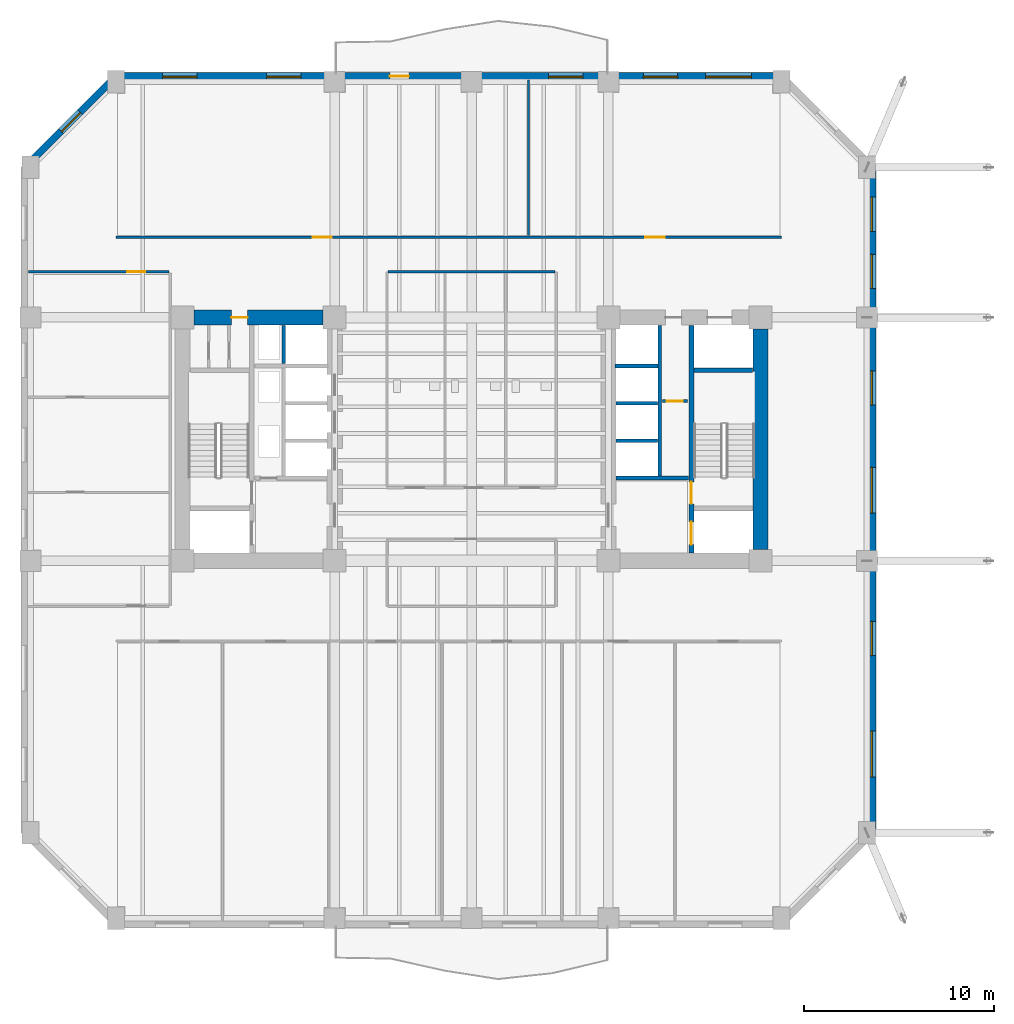
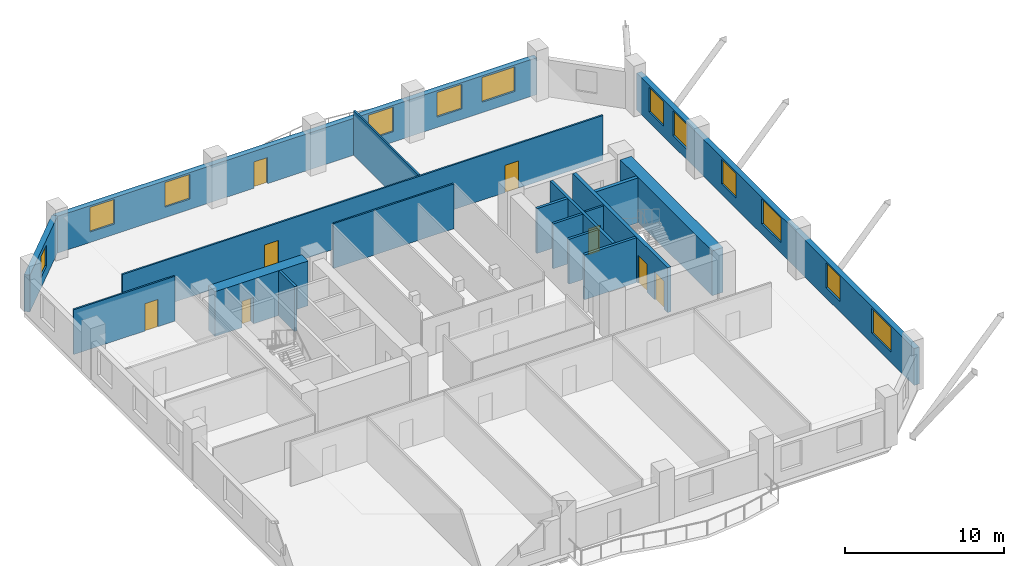
# One storey, part 7 of 13: 18 walls, 12 windows, 8 doors, 20 openings.
"""IFC4 building model written with IfcOpenShell, lengths in metres."""

from ifc_helpers import new_model, si_unit, direction, frame, frame_2d, origin, place, context, subcontext, project, spatial, rectangle, extrude, material, layer, layer_set, type_object, element, fill, save


model = new_model("IFC4")

# Units and contexts
model_context = context("Model", 3, precision=1e-05, world=origin(), true_north=direction((0.0, 1.0)))
body_context = subcontext(model_context, "Body", "Model", "MODEL_VIEW")
ifc_project = project(units=[si_unit("LENGTHUNIT", "METRE"), si_unit("AREAUNIT", "SQUARE_METRE"), si_unit("VOLUMEUNIT", "CUBIC_METRE"), si_unit("PLANEANGLEUNIT", "RADIAN"), si_unit("MASSUNIT", "GRAM", prefix="KILO")], contexts=[model_context])

# Site, building, storey
site_placement = place(None, origin())
site = spatial("IfcSite", under=ifc_project, at=site_placement, CompositionType="ELEMENT")
building_placement = place(site_placement, origin())
building = spatial("IfcBuilding", under=site, at=building_placement, Name="Kranthara Brick Stack", CompositionType="ELEMENT")
storey_placement = place(building_placement, frame((0.0, 0.0, 43.800048828125)))
storey = spatial("IfcBuildingStorey", under=building, at=storey_placement, Name="L10", CompositionType="ELEMENT", Elevation=43.800048828125)

# Wall, opening, window
ifc_material_1 = material(Name="Kiln-fired clay brick masonry M15", Category="masonry")
ifc_layer_1 = layer(ifc_material_1, 0.3798828125)
ifc_layer_set_1 = layer_set([ifc_layer_1], Name="Kiln-fired clay brick masonry M15")
wall_type_1 = type_object("IfcWallType", Name="WL-BRK-PIER-380", PredefinedType="STANDARD", material=ifc_layer_set_1)
wall_1_placement = place(storey_placement, frame((4.510009765625, 41.5, 0.0), z_axis=(0.0, 0.0, 1.0), x_axis=(0.707106781187, 0.707106781187, 0.0)))
wall_1 = element("IfcWall", 1, at=wall_1_placement, inside=storey, type_object=wall_type_1, Name="L10 Exterior Brick Facade Wall NW 1", PredefinedType="STANDARD", context=body_context, shape_type="SweptSolid", body=[
    extrude(rectangle(XDim=6.774169921875, YDim=0.3798828125, at=frame_2d((3.38720703125, 0.0))), origin(), (0.0, 0.0, 1.0), 2.8349609375),
])
opening_1_placement = place(wall_1_placement, frame((2.68701171875, 0.0, 0.800048828125)))
opening_1 = element("IfcOpeningElement", 2, at=opening_1_placement, cuts=wall_1, Name="Opening WN10", PredefinedType="OPENING", context=body_context, shape_type="SweptSolid", body=[
    extrude(rectangle(XDim=1.39990234375, YDim=1.64990234375, at=frame_2d((0.699951171875, 0.824951171875))), frame((0.0, 0.199951171875, 0.0), z_axis=(0.0, -1.0, 0.0), x_axis=(1.0, 0.0, 0.0)), (0.0, 0.0, 1.0), 0.39990234375),
])
ifc_material_2 = material(Name="Double-glazed low-E solar control glass", Category="glass")
window_type_1 = type_object("IfcWindowType", Name="WN-CHM-1400x1750", PartitioningType="SINGLE_PANEL", PredefinedType="WINDOW", material=ifc_material_2)
window_1_placement = place(opening_1_placement, origin())
window_1 = element("IfcWindow", 3, at=window_1_placement, inside=storey, type_object=window_type_1, Name="L10 NW Chamfer Corner Window", OverallHeight=1.64990234375, OverallWidth=1.39990234375, PartitioningType="SINGLE_PANEL", PredefinedType="WINDOW", context=body_context, shape_type="SweptSolid", body=[
    extrude(rectangle(XDim=1.39990234375, YDim=1.64990234375, at=frame_2d((0.699951171875, 0.824951171875))), frame((0.0, -0.010009765625, 0.0), z_axis=(0.0, -1.0, 0.0), x_axis=(1.0, 0.0, 0.0)), (0.0, 0.0, 1.0), 0.06005859375),
])
fill(opening_1, window_1)

# Wall, openings, door, windows
wall_2_placement = place(storey_placement, frame((9.300048828125, 46.2900390625, 0.0), z_axis=(0.0, 0.0, 1.0), x_axis=(1.0, 0.0, 0.0)))
wall_2 = element("IfcWall", 4, at=wall_2_placement, inside=storey, type_object=wall_type_1, Name="L10 Exterior Brick Facade Wall NORTH 1", PredefinedType="STANDARD", context=body_context, shape_type="SweptSolid", body=[
    extrude(rectangle(XDim=35.0, YDim=0.3798828125, at=frame_2d((17.5, 0.0))), origin(), (0.0, 0.0, 1.0), 2.8349609375),
])
opening_2_placement = place(wall_2_placement, frame((14.39990234375, 0.0, 0.0)))
opening_2 = element("IfcOpeningElement", 5, at=opening_2_placement, cuts=wall_2, Name="Opening D03", PredefinedType="OPENING", context=body_context, shape_type="SweptSolid", body=[
    extrude(rectangle(XDim=1.0, YDim=2.02001953125, at=frame_2d((0.5, 1.010009765625))), frame((0.0, 0.199951171875, 0.0), z_axis=(0.0, -1.0, 0.0), x_axis=(1.0, 0.0, 0.0)), (0.0, 0.0, 1.0), 0.39990234375),
])
opening_3_placement = place(wall_2_placement, frame((2.449951171875, 0.0, 0.800048828125)))
opening_3 = element("IfcOpeningElement", 6, at=opening_3_placement, cuts=wall_2, Name="Opening WN01", PredefinedType="OPENING", context=body_context, shape_type="SweptSolid", body=[
    extrude(rectangle(XDim=1.800048828125, YDim=1.89990234375, at=frame_2d((0.89990234375, 0.949951171875))), frame((0.0, 0.199951171875, 0.0), z_axis=(0.0, -1.0, 0.0), x_axis=(1.0, 0.0, 0.0)), (0.0, 0.0, 1.0), 0.39990234375),
])
opening_4_placement = place(wall_2_placement, frame((7.925048828125, 0.0, 0.800048828125)))
opening_4 = element("IfcOpeningElement", 7, at=opening_4_placement, cuts=wall_2, Name="Opening WN01", PredefinedType="OPENING", context=body_context, shape_type="SweptSolid", body=[
    extrude(rectangle(XDim=1.800048828125, YDim=1.89990234375, at=frame_2d((0.89990234375, 0.949951171875))), frame((0.0, 0.199951171875, 0.0), z_axis=(0.0, -1.0, 0.0), x_axis=(1.0, 0.0, 0.0)), (0.0, 0.0, 1.0), 0.39990234375),
])
opening_5_placement = place(wall_2_placement, frame((22.75, 0.0, 0.800048828125)))
opening_5 = element("IfcOpeningElement", 8, at=opening_5_placement, cuts=wall_2, Name="Opening WN01", PredefinedType="OPENING", context=body_context, shape_type="SweptSolid", body=[
    extrude(rectangle(XDim=1.800048828125, YDim=1.89990234375, at=frame_2d((0.89990234375, 0.949951171875))), frame((0.0, 0.199951171875, 0.0), z_axis=(0.0, -1.0, 0.0), x_axis=(1.0, 0.0, 0.0)), (0.0, 0.0, 1.0), 0.39990234375),
])
opening_6_placement = place(wall_2_placement, frame((27.737060546875, 0.0, 0.800048828125)))
opening_6 = element("IfcOpeningElement", 9, at=opening_6_placement, cuts=wall_2, Name="Opening WN01", PredefinedType="OPENING", context=body_context, shape_type="SweptSolid", body=[
    extrude(rectangle(XDim=1.800048828125, YDim=1.89990234375, at=frame_2d((0.89990234375, 0.949951171875))), frame((0.0, 0.199951171875, 0.0), z_axis=(0.0, -1.0, 0.0), x_axis=(1.0, 0.0, 0.0)), (0.0, 0.0, 1.0), 0.39990234375),
])
opening_7_placement = place(wall_2_placement, frame((31.012939453125, 0.0, 0.800048828125)))
opening_7 = element("IfcOpeningElement", 10, at=opening_7_placement, cuts=wall_2, Name="Opening WN02", PredefinedType="OPENING", context=body_context, shape_type="SweptSolid", body=[
    extrude(rectangle(XDim=2.39990234375, YDim=1.89990234375, at=frame_2d((1.199951171875, 0.949951171875))), frame((0.0, 0.199951171875, 0.0), z_axis=(0.0, -1.0, 0.0), x_axis=(1.0, 0.0, 0.0)), (0.0, 0.0, 1.0), 0.39990234375),
])
ifc_material_3 = material(Name="Bronze anodised aluminium and laminated glass", Category="aluminium")
door_type_1 = type_object("IfcDoorType", Name="DR-BALC-1000", OperationType="NOTDEFINED", PredefinedType="DOOR", material=ifc_material_3)
door_1_placement = place(opening_2_placement, origin())
door_1 = element("IfcDoor", 11, at=door_1_placement, inside=storey, type_object=door_type_1, Name="L10 North Balcony Terrace Door", OperationType="SINGLE_SWING_RIGHT", OverallHeight=2.02001953125, OverallWidth=1.0, PredefinedType="DOOR", context=body_context, shape_type="SweptSolid", body=[
    extrude(rectangle(XDim=1.0, YDim=2.02001953125, at=frame_2d((0.5, 1.010009765625))), frame((0.0, 0.02490234375, 0.0), z_axis=(0.0, -1.0, 0.0), x_axis=(1.0, 0.0, 0.0)), (0.0, 0.0, 1.0), 0.050048828125),
])
fill(opening_2, door_1)
ifc_material_4 = material(Name="Double-glazed low-E solar control glass", Category="glass")
window_type_2 = type_object("IfcWindowType", Name="WN-OFF-1800x2000", PartitioningType="SINGLE_PANEL", PredefinedType="WINDOW", material=ifc_material_4)
window_2_placement = place(opening_3_placement, origin())
window_2 = element("IfcWindow", 12, at=window_2_placement, inside=storey, type_object=window_type_2, Name="L10 North Deep-Set Brick Window 01", OverallHeight=1.89990234375, OverallWidth=1.800048828125, PartitioningType="SINGLE_PANEL", PredefinedType="WINDOW", context=body_context, shape_type="SweptSolid", body=[
    extrude(rectangle(XDim=1.800048828125, YDim=1.89990234375, at=frame_2d((0.89990234375, 0.949951171875))), frame((0.0, -0.010009765625, 0.0), z_axis=(0.0, -1.0, 0.0), x_axis=(1.0, 0.0, 0.0)), (0.0, 0.0, 1.0), 0.06005859375),
])
fill(opening_3, window_2)
window_3_placement = place(opening_4_placement, origin())
window_3 = element("IfcWindow", 13, at=window_3_placement, inside=storey, type_object=window_type_2, Name="L10 North Deep-Set Brick Window 02", OverallHeight=1.89990234375, OverallWidth=1.800048828125, PartitioningType="SINGLE_PANEL", PredefinedType="WINDOW", context=body_context, shape_type="SweptSolid", body=[
    extrude(rectangle(XDim=1.800048828125, YDim=1.89990234375, at=frame_2d((0.89990234375, 0.949951171875))), frame((0.0, -0.010009765625, 0.0), z_axis=(0.0, -1.0, 0.0), x_axis=(1.0, 0.0, 0.0)), (0.0, 0.0, 1.0), 0.06005859375),
])
fill(opening_4, window_3)
window_4_placement = place(opening_5_placement, origin())
window_4 = element("IfcWindow", 14, at=window_4_placement, inside=storey, type_object=window_type_2, Name="L10 North Deep-Set Brick Window 03", OverallHeight=1.89990234375, OverallWidth=1.800048828125, PartitioningType="SINGLE_PANEL", PredefinedType="WINDOW", context=body_context, shape_type="SweptSolid", body=[
    extrude(rectangle(XDim=1.800048828125, YDim=1.89990234375, at=frame_2d((0.89990234375, 0.949951171875))), frame((0.0, -0.010009765625, 0.0), z_axis=(0.0, -1.0, 0.0), x_axis=(1.0, 0.0, 0.0)), (0.0, 0.0, 1.0), 0.06005859375),
])
fill(opening_5, window_4)
window_5_placement = place(opening_6_placement, origin())
window_5 = element("IfcWindow", 15, at=window_5_placement, inside=storey, type_object=window_type_2, Name="L10 North Deep-Set Brick Window 04", OverallHeight=1.89990234375, OverallWidth=1.800048828125, PartitioningType="SINGLE_PANEL", PredefinedType="WINDOW", context=body_context, shape_type="SweptSolid", body=[
    extrude(rectangle(XDim=1.800048828125, YDim=1.89990234375, at=frame_2d((0.89990234375, 0.949951171875))), frame((0.0, -0.010009765625, 0.0), z_axis=(0.0, -1.0, 0.0), x_axis=(1.0, 0.0, 0.0)), (0.0, 0.0, 1.0), 0.06005859375),
])
fill(opening_6, window_5)
ifc_material_5 = material(Name="Double-glazed low-E solar control glass", Category="glass")
window_type_3 = type_object("IfcWindowType", Name="WN-OFF-2400x2000", PartitioningType="DOUBLE_PANEL_VERTICAL", PredefinedType="WINDOW", material=ifc_material_5)
window_6_placement = place(opening_7_placement, origin())
window_6 = element("IfcWindow", 16, at=window_6_placement, inside=storey, type_object=window_type_3, Name="L10 North Deep-Set Brick Window 05", OverallHeight=1.89990234375, OverallWidth=2.39990234375, PartitioningType="SINGLE_PANEL", PredefinedType="WINDOW", context=body_context, shape_type="SweptSolid", body=[
    extrude(rectangle(XDim=2.39990234375, YDim=1.89990234375, at=frame_2d((1.199951171875, 0.949951171875))), frame((0.0, -0.010009765625, 0.0), z_axis=(0.0, -1.0, 0.0), x_axis=(1.0, 0.0, 0.0)), (0.0, 0.0, 1.0), 0.06005859375),
])
fill(opening_7, window_6)

# Wall, openings, windows
wall_3_placement = place(storey_placement, frame((49.090087890625, 41.5, 0.0), z_axis=(0.0, 0.0, 1.0), x_axis=(0.0, -1.0, 0.0)))
wall_3 = element("IfcWall", 17, at=wall_3_placement, inside=storey, type_object=wall_type_1, Name="L10 Exterior Brick Facade Wall EAST 1", PredefinedType="STANDARD", context=body_context, shape_type="SweptSolid", body=[
    extrude(rectangle(XDim=35.0, YDim=0.3798828125, at=frame_2d((17.5, 0.0))), origin(), (0.0, 0.0, 1.0), 2.8349609375),
])
opening_8_placement = place(wall_3_placement, frame((1.574951171875, 0.0, 0.800048828125)))
opening_8 = element("IfcOpeningElement", 18, at=opening_8_placement, cuts=wall_3, Name="Opening WN01", PredefinedType="OPENING", context=body_context, shape_type="SweptSolid", body=[
    extrude(rectangle(XDim=1.800048828125, YDim=1.89990234375, at=frame_2d((0.89990234375, 0.949951171875))), frame((0.0, 0.199951171875, 0.0), z_axis=(0.0, -1.0, 0.0), x_axis=(1.0, 0.0, 0.0)), (0.0, 0.0, 1.0), 0.39990234375),
])
opening_9_placement = place(wall_3_placement, frame((4.574951171875, 0.0, 0.800048828125)))
opening_9 = element("IfcOpeningElement", 19, at=opening_9_placement, cuts=wall_3, Name="Opening WN01", PredefinedType="OPENING", context=body_context, shape_type="SweptSolid", body=[
    extrude(rectangle(XDim=1.800048828125, YDim=1.89990234375, at=frame_2d((0.89990234375, 0.949951171875))), frame((0.0, 0.199951171875, 0.0), z_axis=(0.0, -1.0, 0.0), x_axis=(1.0, 0.0, 0.0)), (0.0, 0.0, 1.0), 0.39990234375),
])
opening_10_placement = place(wall_3_placement, frame((10.7119140625, 0.0, 0.800048828125)))
opening_10 = element("IfcOpeningElement", 20, at=opening_10_placement, cuts=wall_3, Name="Opening WN01", PredefinedType="OPENING", context=body_context, shape_type="SweptSolid", body=[
    extrude(rectangle(XDim=1.800048828125, YDim=1.89990234375, at=frame_2d((0.89990234375, 0.949951171875))), frame((0.0, 0.199951171875, 0.0), z_axis=(0.0, -1.0, 0.0), x_axis=(1.0, 0.0, 0.0)), (0.0, 0.0, 1.0), 0.39990234375),
])
opening_11_placement = place(wall_3_placement, frame((15.7880859375, 0.0, 0.800048828125)))
opening_11 = element("IfcOpeningElement", 21, at=opening_11_placement, cuts=wall_3, Name="Opening WN02", PredefinedType="OPENING", context=body_context, shape_type="SweptSolid", body=[
    extrude(rectangle(XDim=2.39990234375, YDim=1.89990234375, at=frame_2d((1.199951171875, 0.949951171875))), frame((0.0, 0.199951171875, 0.0), z_axis=(0.0, -1.0, 0.0), x_axis=(1.0, 0.0, 0.0)), (0.0, 0.0, 1.0), 0.39990234375),
])
opening_12_placement = place(wall_3_placement, frame((23.888916015625, 0.0, 0.800048828125)))
opening_12 = element("IfcOpeningElement", 22, at=opening_12_placement, cuts=wall_3, Name="Opening WN01", PredefinedType="OPENING", context=body_context, shape_type="SweptSolid", body=[
    extrude(rectangle(XDim=1.800048828125, YDim=1.89990234375, at=frame_2d((0.89990234375, 0.949951171875))), frame((0.0, 0.199951171875, 0.0), z_axis=(0.0, -1.0, 0.0), x_axis=(1.0, 0.0, 0.0)), (0.0, 0.0, 1.0), 0.39990234375),
])
opening_13_placement = place(wall_3_placement, frame((29.660888671875, 0.0, 0.800048828125)))
opening_13 = element("IfcOpeningElement", 23, at=opening_13_placement, cuts=wall_3, Name="Opening WN02", PredefinedType="OPENING", context=body_context, shape_type="SweptSolid", body=[
    extrude(rectangle(XDim=2.39990234375, YDim=1.89990234375, at=frame_2d((1.199951171875, 0.949951171875))), frame((0.0, 0.199951171875, 0.0), z_axis=(0.0, -1.0, 0.0), x_axis=(1.0, 0.0, 0.0)), (0.0, 0.0, 1.0), 0.39990234375),
])
window_7_placement = place(opening_8_placement, origin())
window_7 = element("IfcWindow", 24, at=window_7_placement, inside=storey, type_object=window_type_2, Name="L10 East Deep-Set Brick Window 01", OverallHeight=1.89990234375, OverallWidth=1.800048828125, PartitioningType="SINGLE_PANEL", PredefinedType="WINDOW", context=body_context, shape_type="SweptSolid", body=[
    extrude(rectangle(XDim=1.800048828125, YDim=1.89990234375, at=frame_2d((0.89990234375, 0.949951171875))), frame((0.0, -0.010009765625, 0.0), z_axis=(0.0, -1.0, 0.0), x_axis=(1.0, 0.0, 0.0)), (0.0, 0.0, 1.0), 0.06005859375),
])
fill(opening_8, window_7)
window_8_placement = place(opening_9_placement, origin())
window_8 = element("IfcWindow", 25, at=window_8_placement, inside=storey, type_object=window_type_2, Name="L10 East Deep-Set Brick Window 02", OverallHeight=1.89990234375, OverallWidth=1.800048828125, PartitioningType="SINGLE_PANEL", PredefinedType="WINDOW", context=body_context, shape_type="SweptSolid", body=[
    extrude(rectangle(XDim=1.800048828125, YDim=1.89990234375, at=frame_2d((0.89990234375, 0.949951171875))), frame((0.0, -0.010009765625, 0.0), z_axis=(0.0, -1.0, 0.0), x_axis=(1.0, 0.0, 0.0)), (0.0, 0.0, 1.0), 0.06005859375),
])
fill(opening_9, window_8)
window_9_placement = place(opening_10_placement, origin())
window_9 = element("IfcWindow", 26, at=window_9_placement, inside=storey, type_object=window_type_2, Name="L10 East Deep-Set Brick Window 03", OverallHeight=1.89990234375, OverallWidth=1.800048828125, PartitioningType="SINGLE_PANEL", PredefinedType="WINDOW", context=body_context, shape_type="SweptSolid", body=[
    extrude(rectangle(XDim=1.800048828125, YDim=1.89990234375, at=frame_2d((0.89990234375, 0.949951171875))), frame((0.0, -0.010009765625, 0.0), z_axis=(0.0, -1.0, 0.0), x_axis=(1.0, 0.0, 0.0)), (0.0, 0.0, 1.0), 0.06005859375),
])
fill(opening_10, window_9)
window_10_placement = place(opening_12_placement, origin())
window_10 = element("IfcWindow", 27, at=window_10_placement, inside=storey, type_object=window_type_2, Name="L10 East Deep-Set Brick Window 05", OverallHeight=1.89990234375, OverallWidth=1.800048828125, PartitioningType="SINGLE_PANEL", PredefinedType="WINDOW", context=body_context, shape_type="SweptSolid", body=[
    extrude(rectangle(XDim=1.800048828125, YDim=1.89990234375, at=frame_2d((0.89990234375, 0.949951171875))), frame((0.0, -0.010009765625, 0.0), z_axis=(0.0, -1.0, 0.0), x_axis=(1.0, 0.0, 0.0)), (0.0, 0.0, 1.0), 0.06005859375),
])
fill(opening_12, window_10)
window_11_placement = place(opening_11_placement, origin())
window_11 = element("IfcWindow", 28, at=window_11_placement, inside=storey, type_object=window_type_3, Name="L10 East Deep-Set Brick Window 04", OverallHeight=1.89990234375, OverallWidth=2.39990234375, PartitioningType="SINGLE_PANEL", PredefinedType="WINDOW", context=body_context, shape_type="SweptSolid", body=[
    extrude(rectangle(XDim=2.39990234375, YDim=1.89990234375, at=frame_2d((1.199951171875, 0.949951171875))), frame((0.0, -0.010009765625, 0.0), z_axis=(0.0, -1.0, 0.0), x_axis=(1.0, 0.0, 0.0)), (0.0, 0.0, 1.0), 0.06005859375),
])
fill(opening_11, window_11)
window_12_placement = place(opening_13_placement, origin())
window_12 = element("IfcWindow", 29, at=window_12_placement, inside=storey, type_object=window_type_3, Name="L10 East Deep-Set Brick Window 06", OverallHeight=1.89990234375, OverallWidth=2.39990234375, PartitioningType="SINGLE_PANEL", PredefinedType="WINDOW", context=body_context, shape_type="SweptSolid", body=[
    extrude(rectangle(XDim=2.39990234375, YDim=1.89990234375, at=frame_2d((1.199951171875, 0.949951171875))), frame((0.0, -0.010009765625, 0.0), z_axis=(0.0, -1.0, 0.0), x_axis=(1.0, 0.0, 0.0)), (0.0, 0.0, 1.0), 0.06005859375),
])
fill(opening_13, window_12)

# Wall, openings, doors
ifc_material_6 = material(Name="Concrete C50/60", Category="concrete")
ifc_layer_2 = layer(ifc_material_6, 0.25)
ifc_layer_set_2 = layer_set([ifc_layer_2], Name="Concrete C50/60")
wall_type_2 = type_object("IfcWallType", Name="WL-CORE-250", PredefinedType="SHEAR", material=ifc_layer_set_2)
wall_4_placement = place(storey_placement, frame((39.56494140625, 21.2099609375, 0.0), z_axis=(0.0, 0.0, 1.0), x_axis=(0.0, 1.0, 0.0)))
wall_4 = element("IfcWall", 30, at=wall_4_placement, inside=storey, type_object=wall_type_2, Name="L10 East Core Stair Bearing Spine Wall", PredefinedType="SHEAR", context=body_context, shape_type="SweptSolid", body=[
    extrude(rectangle(XDim=11.97998046875, YDim=0.25, at=frame_2d((5.989990234375, 0.0))), origin(), (0.0, 0.0, 1.0), 3.449951171875),
])
opening_14_placement = place(wall_4_placement, frame((0.43994140625, 0.0, 0.0)))
opening_14 = element("IfcOpeningElement", 31, at=opening_14_placement, cuts=wall_4, Name="Opening LD01", PredefinedType="OPENING", context=body_context, shape_type="SweptSolid", body=[
    extrude(rectangle(XDim=1.199951171875, YDim=2.14990234375, at=frame_2d((0.60009765625, 1.074951171875))), frame((0.0, 0.135009765625, 0.0), z_axis=(0.0, -1.0, 0.0), x_axis=(1.0, 0.0, 0.0)), (0.0, 0.0, 1.0), 0.27001953125),
])
opening_15_placement = place(wall_4_placement, frame((2.590087890625, 0.0, 0.0)))
opening_15 = element("IfcOpeningElement", 32, at=opening_15_placement, cuts=wall_4, Name="Opening D05", PredefinedType="OPENING", context=body_context, shape_type="SweptSolid", body=[
    extrude(rectangle(XDim=1.14990234375, YDim=2.14990234375, at=frame_2d((0.574951171875, 1.074951171875))), frame((0.0, 0.135009765625, 0.0), z_axis=(0.0, -1.0, 0.0), x_axis=(1.0, 0.0, 0.0)), (0.0, 0.0, 1.0), 0.27001953125),
])
ifc_material_7 = material(Name="Stainless steel sliding landing door", Category="steel")
door_type_2 = type_object("IfcDoorType", Name="DR-LD-FF1200", OperationType="DOUBLE_DOOR_SLIDING", PredefinedType="DOOR", material=ifc_material_7)
door_2_placement = place(opening_14_placement, origin())
door_2 = element("IfcDoor", 33, at=door_2_placement, inside=storey, type_object=door_type_2, Name="L10 Firefighting Lift FF-02 Landing Door", OperationType="DOUBLE_DOOR_SLIDING", OverallHeight=2.14990234375, OverallWidth=1.199951171875, PredefinedType="DOOR", context=body_context, shape_type="SweptSolid", body=[
    extrude(rectangle(XDim=1.199951171875, YDim=2.14990234375, at=frame_2d((0.60009765625, 1.074951171875))), frame((0.0, 0.02490234375, 0.0), z_axis=(0.0, -1.0, 0.0), x_axis=(1.0, 0.0, 0.0)), (0.0, 0.0, 1.0), 0.050048828125),
])
fill(opening_14, door_2)
ifc_material_8 = material(Name="Solid-core hardwood timber leaf in steel frame", Category="steel")
door_type_3 = type_object("IfcDoorType", Name="DR-ST-1150", OperationType="NOTDEFINED", PredefinedType="DOOR", material=ifc_material_8)
door_3_placement = place(opening_15_placement, origin())
door_3 = element("IfcDoor", 34, at=door_3_placement, inside=storey, type_object=door_type_3, Name="L10 Exit Stair ST02 Door", OperationType="SINGLE_SWING_LEFT", OverallHeight=2.14990234375, OverallWidth=1.14990234375, PredefinedType="DOOR", context=body_context, shape_type="SweptSolid", body=[
    extrude(rectangle(XDim=1.14990234375, YDim=2.14990234375, at=frame_2d((0.574951171875, 1.074951171875))), frame((0.0, 0.02490234375, 0.0), z_axis=(0.0, -1.0, 0.0), x_axis=(1.0, 0.0, 0.0)), (0.0, 0.0, 1.0), 0.050048828125),
])
fill(opening_15, door_3)

# Wall
wall_5_placement = place(storey_placement, frame((39.68994140625, 30.830078125, 0.0), z_axis=(0.0, 0.0, 1.0), x_axis=(1.0, 0.0, 0.0)))
element("IfcWall", 35, at=wall_5_placement, inside=storey, type_object=wall_type_2, Name="L10 East Stairwell Bearing Wall EST", PredefinedType="SHEAR", context=body_context, shape_type="SweptSolid", body=[
    extrude(rectangle(XDim=3.10009765625, YDim=0.25, at=frame_2d((1.550048828125, 0.0))), origin(), (0.0, 0.0, 1.0), 3.449951171875),
])

# Wall, opening, door
ifc_material_9 = material(Name="Concrete C70/85", Category="concrete")
ifc_layer_3 = layer(ifc_material_9, 0.800048828125)
ifc_layer_set_3 = layer_set([ifc_layer_3], Name="Concrete C70/85")
wall_type_3 = type_object("IfcWallType", Name="WL-CORE-800", PredefinedType="SHEAR", material=ifc_layer_set_3)
wall_6_placement = place(storey_placement, frame((13.405029296875, 33.60009765625, 0.0), z_axis=(0.0, 0.0, 1.0), x_axis=(1.0, 0.0, 0.0)))
wall_6 = element("IfcWall", 36, at=wall_6_placement, inside=storey, type_object=wall_type_3, Name="L10 West Core Shear Wall North", PredefinedType="SHEAR", context=body_context, shape_type="SweptSolid", body=[
    extrude(rectangle(XDim=6.7900390625, YDim=0.800048828125, at=frame_2d((3.39501953125, 0.0))), origin(), (0.0, 0.0, 1.0), 3.449951171875),
])
opening_16_placement = place(wall_6_placement, frame((1.965087890625, 0.0, 0.0)))
opening_16 = element("IfcOpeningElement", 37, at=opening_16_placement, cuts=wall_6, Name="Opening D10", PredefinedType="OPENING", context=body_context, shape_type="SweptSolid", body=[
    extrude(rectangle(XDim=0.85009765625, YDim=2.02001953125, at=frame_2d((0.425048828125, 1.010009765625))), frame((0.0, 0.409912109375, 0.0), z_axis=(0.0, -1.0, 0.0), x_axis=(1.0, 0.0, 0.0)), (0.0, 0.0, 1.0), 0.820068359375),
])
ifc_material_10 = material(Name="Solid-core hardwood timber leaf in steel frame", Category="steel")
door_type_4 = type_object("IfcDoorType", Name="DR-RSR-850", OperationType="NOTDEFINED", PredefinedType="DOOR", material=ifc_material_10)
door_4_placement = place(opening_16_placement, origin())
door_4 = element("IfcDoor", 38, at=door_4_placement, inside=storey, type_object=door_type_4, Name="L10 West Core Service Door 1", OperationType="SINGLE_SWING_RIGHT", OverallHeight=2.02001953125, OverallWidth=0.85009765625, PredefinedType="DOOR", context=body_context, shape_type="SweptSolid", body=[
    extrude(rectangle(XDim=0.85009765625, YDim=2.02001953125, at=frame_2d((0.425048828125, 1.010009765625))), frame((0.0, 0.02490234375, 0.0), z_axis=(0.0, -1.0, 0.0), x_axis=(1.0, 0.0, 0.0)), (0.0, 0.0, 1.0), 0.050048828125),
])
fill(opening_16, door_4)

# Walls
wall_7_placement = place(storey_placement, frame((43.199951171875, 21.405029296875, 0.0), z_axis=(0.0, 0.0, 1.0), x_axis=(0.0, 1.0, 0.0)))
element("IfcWall", 39, at=wall_7_placement, inside=storey, type_object=wall_type_3, Name="L10 East Core Shear Wall East", PredefinedType="SHEAR", context=body_context, shape_type="SweptSolid", body=[
    extrude(rectangle(XDim=11.590087890625, YDim=0.800048828125, at=frame_2d((5.794921875, 0.0))), origin(), (0.0, 0.0, 1.0), 3.449951171875),
])
ifc_material_11 = material(Name="Acoustic gypsum plasterboard partition", Category="other")
ifc_layer_4 = layer(ifc_material_11, 0.1201171875)
ifc_layer_set_4 = layer_set([ifc_layer_4], Name="Acoustic gypsum plasterboard partition")
wall_type_4 = type_object("IfcWallType", Name="WL-PART-120", PredefinedType="PARTITIONING", material=ifc_layer_set_4)
wall_8_placement = place(storey_placement, frame((23.614990234375, 36.0, 0.0), z_axis=(0.0, 0.0, 1.0), x_axis=(1.0, 0.0, 0.0)))
element("IfcWall", 40, at=wall_8_placement, inside=storey, type_object=wall_type_4, Name="L10 Interior Partition 009", PredefinedType="PARTITIONING", context=body_context, shape_type="SweptSolid", body=[
    extrude(rectangle(XDim=8.77001953125, YDim=0.1201171875, at=frame_2d((4.385009765625, 0.0))), origin(), (0.0, 0.0, 1.0), 3.449951171875),
])

# Wall, openings, doors
wall_9_placement = place(storey_placement, frame((9.300048828125, 37.820068359375, 0.0), z_axis=(0.0, 0.0, 1.0), x_axis=(1.0, 0.0, 0.0)))
wall_9 = element("IfcWall", 41, at=wall_9_placement, inside=storey, type_object=wall_type_4, Name="L10 Interior Partition 020", PredefinedType="PARTITIONING", context=body_context, shape_type="SweptSolid", body=[
    extrude(rectangle(XDim=35.0, YDim=0.1201171875, at=frame_2d((17.5, 0.0))), origin(), (0.0, 0.0, 1.0), 3.449951171875),
])
opening_17_placement = place(wall_9_placement, frame((10.35009765625, 0.0, 0.0)))
opening_17 = element("IfcOpeningElement", 42, at=opening_17_placement, cuts=wall_9, Name="Opening D13", PredefinedType="OPENING", context=body_context, shape_type="SweptSolid", body=[
    extrude(rectangle(XDim=1.0, YDim=2.10009765625, at=frame_2d((0.5, 1.050048828125))), frame((0.0, 0.070068359375, 0.0), z_axis=(0.0, -1.0, 0.0), x_axis=(1.0, 0.0, 0.0)), (0.0, 0.0, 1.0), 0.14013671875),
])
opening_18_placement = place(wall_9_placement, frame((27.85009765625, 0.0, 0.0)))
opening_18 = element("IfcOpeningElement", 43, at=opening_18_placement, cuts=wall_9, Name="Opening D13", PredefinedType="OPENING", context=body_context, shape_type="SweptSolid", body=[
    extrude(rectangle(XDim=1.0, YDim=2.10009765625, at=frame_2d((0.5, 1.050048828125))), frame((0.0, 0.070068359375, 0.0), z_axis=(0.0, -1.0, 0.0), x_axis=(1.0, 0.0, 0.0)), (0.0, 0.0, 1.0), 0.14013671875),
])
ifc_material_12 = material(Name="Solid-core hardwood timber leaf in steel frame", Category="steel")
door_type_5 = type_object("IfcDoorType", Name="DR-INT-1000", OperationType="NOTDEFINED", PredefinedType="DOOR", material=ifc_material_12)
door_5_placement = place(opening_17_placement, origin())
door_5 = element("IfcDoor", 44, at=door_5_placement, inside=storey, type_object=door_type_5, Name="L10 Open Plan Workspace 14", OperationType="SINGLE_SWING_RIGHT", OverallHeight=2.10009765625, OverallWidth=1.0, PredefinedType="DOOR", context=body_context, shape_type="SweptSolid", body=[
    extrude(rectangle(XDim=1.0, YDim=2.10009765625, at=frame_2d((0.5, 1.050048828125))), frame((0.0, 0.02490234375, 0.0), z_axis=(0.0, -1.0, 0.0), x_axis=(1.0, 0.0, 0.0)), (0.0, 0.0, 1.0), 0.050048828125),
])
fill(opening_17, door_5)
door_6_placement = place(opening_18_placement, origin())
door_6 = element("IfcDoor", 45, at=door_6_placement, inside=storey, type_object=door_type_5, Name="L10 Staff Pantry 15", OperationType="SINGLE_SWING_LEFT", OverallHeight=2.10009765625, OverallWidth=1.0, PredefinedType="DOOR", context=body_context, shape_type="SweptSolid", body=[
    extrude(rectangle(XDim=1.0, YDim=2.10009765625, at=frame_2d((0.5, 1.050048828125))), frame((0.0, 0.02490234375, 0.0), z_axis=(0.0, -1.0, 0.0), x_axis=(1.0, 0.0, 0.0)), (0.0, 0.0, 1.0), 0.050048828125),
])
fill(opening_18, door_6)

# Wall
wall_10_placement = place(storey_placement, frame((31.0, 37.919921875, 0.0), z_axis=(0.0, 0.0, 1.0), x_axis=(0.0, 1.0, 0.0)))
element("IfcWall", 46, at=wall_10_placement, inside=storey, type_object=wall_type_4, Name="L10 Interior Partition 021", PredefinedType="PARTITIONING", context=body_context, shape_type="SweptSolid", body=[
    extrude(rectangle(XDim=8.175048828125, YDim=0.1201171875, at=frame_2d((4.08740234375, 0.0))), origin(), (0.0, 0.0, 1.0), 3.449951171875),
])

# Wall, opening, door
wall_11_placement = place(storey_placement, frame((4.705078125, 36.0, 0.0), z_axis=(0.0, 0.0, 1.0), x_axis=(1.0, 0.0, 0.0)))
wall_11 = element("IfcWall", 47, at=wall_11_placement, inside=storey, type_object=wall_type_4, Name="L10 Interior Partition 024", PredefinedType="PARTITIONING", context=body_context, shape_type="SweptSolid", body=[
    extrude(rectangle(XDim=7.3798828125, YDim=0.1201171875, at=frame_2d((3.68994140625, 0.0))), origin(), (0.0, 0.0, 1.0), 3.449951171875),
])
opening_19_placement = place(wall_11_placement, frame((5.179931640625, 0.0, 0.0)))
opening_19 = element("IfcOpeningElement", 48, at=opening_19_placement, cuts=wall_11, Name="Opening D14", PredefinedType="OPENING", context=body_context, shape_type="SweptSolid", body=[
    extrude(rectangle(XDim=0.949951171875, YDim=2.10009765625, at=frame_2d((0.47509765625, 1.050048828125))), frame((0.0, 0.070068359375, 0.0), z_axis=(0.0, -1.0, 0.0), x_axis=(1.0, 0.0, 0.0)), (0.0, 0.0, 1.0), 0.14013671875),
])
ifc_material_13 = material(Name="Solid-core hardwood timber leaf in steel frame", Category="steel")
door_type_6 = type_object("IfcDoorType", Name="DR-INT-950", OperationType="NOTDEFINED", PredefinedType="DOOR", material=ifc_material_13)
door_7_placement = place(opening_19_placement, origin())
door_7 = element("IfcDoor", 49, at=door_7_placement, inside=storey, type_object=door_type_6, Name="L10 West North Office 19", OperationType="SINGLE_SWING_LEFT", OverallHeight=2.10009765625, OverallWidth=0.949951171875, PredefinedType="DOOR", context=body_context, shape_type="SweptSolid", body=[
    extrude(rectangle(XDim=0.949951171875, YDim=2.10009765625, at=frame_2d((0.47509765625, 1.050048828125))), frame((0.0, 0.02490234375, 0.0), z_axis=(0.0, -1.0, 0.0), x_axis=(1.0, 0.0, 0.0)), (0.0, 0.0, 1.0), 0.050048828125),
])
fill(opening_19, door_7)

ifc_material_14 = material(Name="Fire-rated gypsum board partition", Category="other")
ifc_layer_5 = layer(ifc_material_14, 0.14990234375)
ifc_layer_set_5 = layer_set([ifc_layer_5], Name="Fire-rated gypsum board partition")
wall_type_5 = type_object("IfcWallType", Name="WL-PART-150", PredefinedType="PARTITIONING", material=ifc_layer_set_5)
wall_12_placement = place(storey_placement, frame((38.050048828125, 29.199951171875, 0.0), z_axis=(0.0, 0.0, 1.0), x_axis=(1.0, 0.0, 0.0)))
wall_12 = element("IfcWall", 50, at=wall_12_placement, inside=storey, type_object=wall_type_5, Name="L10 Interior Partition 003", PredefinedType="PARTITIONING", context=body_context, shape_type="SweptSolid", body=[
    extrude(rectangle(XDim=1.300048828125, YDim=0.14990234375, at=frame_2d((0.64990234375, 0.0))), origin(), (0.0, 0.0, 1.0), 3.449951171875),
])
opening_20_placement = place(wall_12_placement, frame((0.219970703125, 0.0, 0.0)))
opening_20 = element("IfcOpeningElement", 51, at=opening_20_placement, cuts=wall_12, Name="Opening D10", PredefinedType="OPENING", context=body_context, shape_type="SweptSolid", body=[
    extrude(rectangle(XDim=0.85009765625, YDim=2.02001953125, at=frame_2d((0.425048828125, 1.010009765625))), frame((0.0, 0.0849609375, 0.0), z_axis=(0.0, -1.0, 0.0), x_axis=(1.0, 0.0, 0.0)), (0.0, 0.0, 1.0), 0.169921875),
])
door_8_placement = place(opening_20_placement, origin())
door_8 = element("IfcDoor", 52, at=door_8_placement, inside=storey, type_object=door_type_4, Name="L10 East Service Door 03", OperationType="SINGLE_SWING_LEFT", OverallHeight=2.02001953125, OverallWidth=0.85009765625, PredefinedType="DOOR", context=body_context, shape_type="SweptSolid", body=[
    extrude(rectangle(XDim=0.85009765625, YDim=2.02001953125, at=frame_2d((0.425048828125, 1.010009765625))), frame((0.0, 0.02490234375, 0.0), z_axis=(0.0, -1.0, 0.0), x_axis=(1.0, 0.0, 0.0)), (0.0, 0.0, 1.0), 0.050048828125),
])
fill(opening_20, door_8)

# Walls
ifc_material_15 = material(Name="Gypsum plasterboard on acoustic twin stud", Category="other")
ifc_layer_6 = layer(ifc_material_15, 0.179931640625)
ifc_layer_set_6 = layer_set([ifc_layer_6], Name="Gypsum plasterboard on acoustic twin stud")
wall_type_6 = type_object("IfcWallType", Name="WL-PART-180", PredefinedType="PARTITIONING", material=ifc_layer_set_6)
wall_13_placement = place(storey_placement, frame((18.1201171875, 31.169921875, 0.0), z_axis=(0.0, 0.0, 1.0), x_axis=(0.0, 1.0, 0.0)))
element("IfcWall", 53, at=wall_13_placement, inside=storey, type_object=wall_type_6, Name="L10 West Hoistway Wall WBK7", PredefinedType="PARTITIONING", context=body_context, shape_type="SweptSolid", body=[
    extrude(rectangle(XDim=2.02001953125, YDim=0.179931640625, at=frame_2d((1.010009765625, 0.0))), origin(), (0.0, 0.0, 1.0), 3.449951171875),
])
for number, where, z_axis, x_axis, name in (
    (54, (35.610107421875, 27.1201171875, 0.0), (0.0, 0.0, 1.0), (1.0, 0.0, 0.0), "L10 East Hoistway Wall EH1"),
    (55, (35.610107421875, 29.080078125, 0.0), (0.0, 0.0, 1.0), (1.0, 0.0, 0.0), "L10 East Hoistway Wall EH2"),
):
    element("IfcWall", number, at=place(storey_placement, frame(where, z_axis=z_axis, x_axis=x_axis)), inside=storey, type_object=wall_type_6, Name=name, PredefinedType="PARTITIONING", context=body_context, shape_type="SweptSolid", body=[
        extrude(rectangle(XDim=2.169921875, YDim=0.179931640625, at=frame_2d((1.0849609375, 0.0))), origin(), (0.0, 0.0, 1.0), 3.449951171875),
    ])
ifc_material_16 = material(Name="Concrete C40/50", Category="concrete")
ifc_layer_7 = layer(ifc_material_16, 0.199951171875)
ifc_layer_set_7 = layer_set([ifc_layer_7], Name="Concrete C40/50")
wall_type_7 = type_object("IfcWallType", Name="WL-PART-200", PredefinedType="SOLIDWALL", material=ifc_layer_set_7)
wall_14_placement = place(storey_placement, frame((35.610107421875, 25.14990234375, 0.0), z_axis=(0.0, 0.0, 1.0), x_axis=(1.0, 0.0, 0.0)))
element("IfcWall", 56, at=wall_14_placement, inside=storey, type_object=wall_type_7, Name="L10 East Core Cross Wall EFL", PredefinedType="SOLIDWALL", context=body_context, shape_type="SweptSolid", body=[
    extrude(rectangle(XDim=3.789794921875, YDim=0.199951171875, at=frame_2d((1.89501953125, 0.0))), origin(), (0.0, 0.0, 1.0), 3.449951171875),
])
wall_15_placement = place(storey_placement, frame((35.550048828125, 31.050048828125, 0.0), z_axis=(0.0, 0.0, 1.0), x_axis=(1.0, 0.0, 0.0)))
element("IfcWall", 57, at=wall_15_placement, inside=storey, type_object=wall_type_7, Name="L10 East Core Cross Wall EE4", PredefinedType="SOLIDWALL", context=body_context, shape_type="SweptSolid", body=[
    extrude(rectangle(XDim=2.25, YDim=0.199951171875, at=frame_2d((1.125, 0.0))), origin(), (0.0, 0.0, 1.0), 3.449951171875),
])
wall_16_placement = place(storey_placement, frame((37.89990234375, 25.27001953125, 0.0), z_axis=(0.0, 0.0, 1.0), x_axis=(0.0, 1.0, 0.0)))
element("IfcWall", 58, at=wall_16_placement, inside=storey, type_object=wall_type_7, Name="L10 East Core Cross Wall ESV", PredefinedType="SOLIDWALL", context=body_context, shape_type="SweptSolid", body=[
    extrude(rectangle(XDim=7.919921875, YDim=0.199951171875, at=frame_2d((3.9599609375, 0.0))), origin(), (0.0, 0.0, 1.0), 3.449951171875),
])

save(model, "model.ifc")
